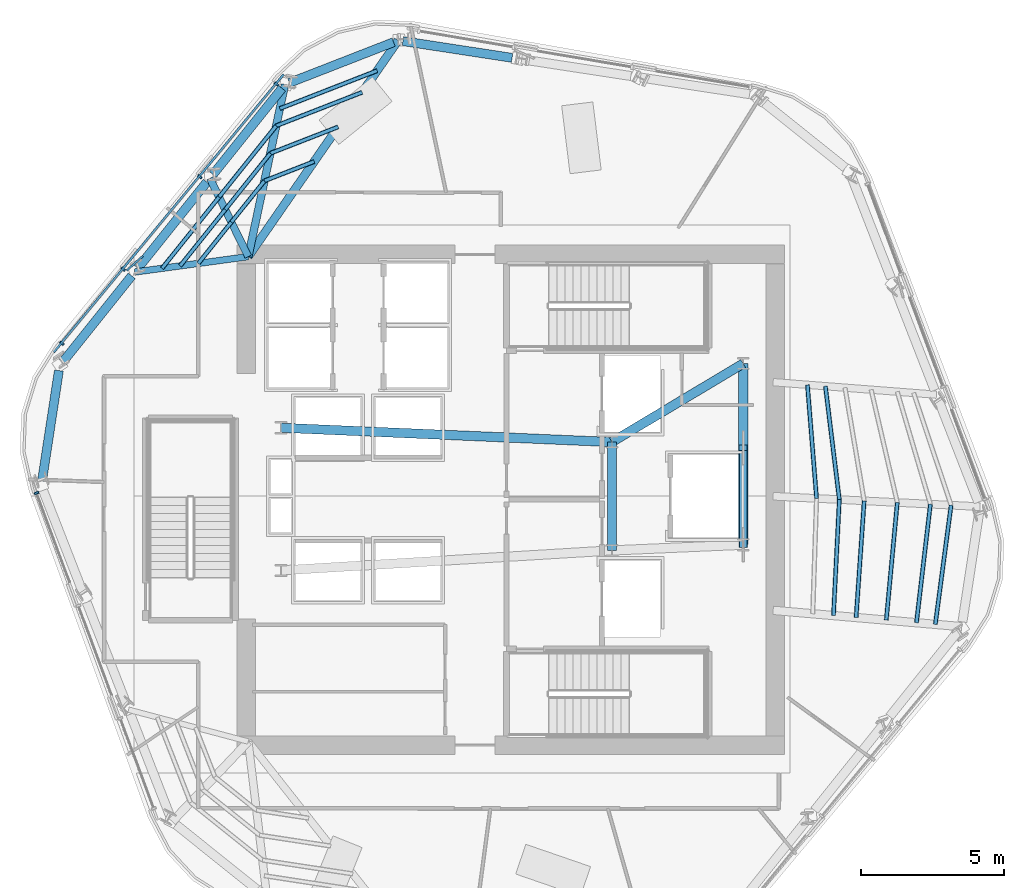
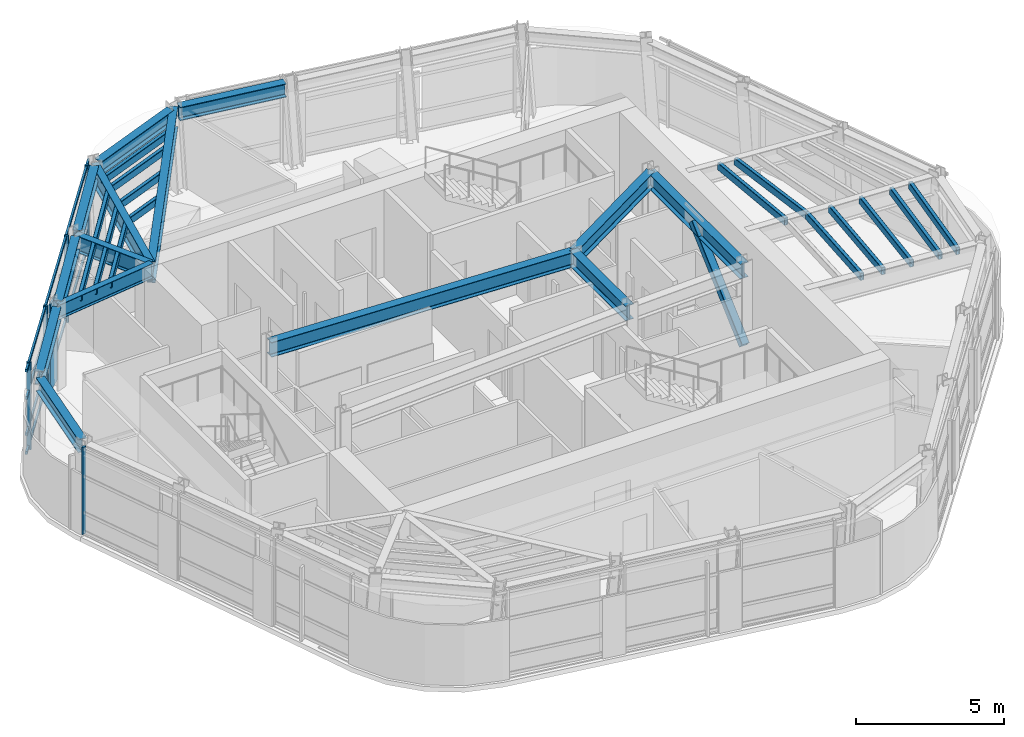
# One storey, part 3 of 12: 28 members, 14 beams, 2 elements without a shape of their own.
"""IFC4 building model written with IfcOpenShell, lengths in metres."""

from ifc_helpers import new_model, si_unit, direction, frame, origin, origin_2d, place, context, subcontext, project, spatial, rectangle, hollow_rectangle, i_section, extrude, material, layer, layer_set, material_profile, profile_set, type_object, element, aggregate, save


model = new_model("IFC4")

# Units and contexts
model_context = context("Model", 3, precision=1e-05, world=origin(), true_north=direction((0.0, 1.0)))
body_context = subcontext(model_context, "Body", "Model", "MODEL_VIEW")
ifc_project = project(units=[si_unit("LENGTHUNIT", "METRE"), si_unit("AREAUNIT", "SQUARE_METRE"), si_unit("VOLUMEUNIT", "CUBIC_METRE"), si_unit("PLANEANGLEUNIT", "RADIAN"), si_unit("MASSUNIT", "GRAM", prefix="KILO")], contexts=[model_context])

# Site, building, storey
site_placement = place(None, origin())
site = spatial("IfcSite", under=ifc_project, at=site_placement, CompositionType="ELEMENT")
building_placement = place(site_placement, origin())
building = spatial("IfcBuilding", under=site, at=building_placement, Name="Valkerne Bourse Tower", CompositionType="ELEMENT")
storey_placement = place(building_placement, frame((0.0, 0.0, 239.800048828125)))
storey = spatial("IfcBuildingStorey", under=building, at=storey_placement, Name="L61", CompositionType="ELEMENT", Elevation=239.800048828125)

# Beams
ifc_material_1 = material(Name="Steel ASTM A992", Category="steel")
ifc_material_profile_1 = material_profile(ifc_material_1, i_section(OverallWidth=0.31494140625, OverallDepth=0.5537109375, WebThickness=0.0166015625, FlangeThickness=0.026123046875, FilletRadius=0.020263671875, at=origin_2d()), Name="W21X132")
ifc_profile_set_1 = profile_set([ifc_material_profile_1], Name="Steel ASTM A992")
beam_type_1 = type_object("IfcBeamType", Name="BM-W21X132", PredefinedType="BEAM", material=ifc_profile_set_1)
beam_1_placement = place(storey_placement, frame((46.84912109375, 42.3681640625, 3.3232421875), z_axis=(-0.988493114679, 0.151265866053, 0.0), x_axis=(-0.151265866053, -0.988493114679, 0.0)))
element("IfcBeam", 1, at=beam_1_placement, inside=storey, type_object=beam_type_1, Name="L61 Hexagonal Spandrel Ring Beam 02", PredefinedType="BEAM", context=body_context, shape_type="SweptSolid", body=[
    extrude(i_section(OverallWidth=0.31494140625, OverallDepth=0.5537109375, WebThickness=0.0166015625, FlangeThickness=0.026123046875, FilletRadius=0.020263671875, at=origin_2d()), origin(), (0.0, 0.0, 1.0), 3.871826171875),
])
beam_2_placement = place(storey_placement, frame((42.6953125, 42.917724609375, 3.3232421875), z_axis=(-0.931691908063, -0.363249485135, 0.0), x_axis=(0.363249485135, -0.931691908063, 0.0)))
element("IfcBeam", 2, at=beam_2_placement, inside=storey, type_object=beam_type_1, Name="L61 Hexagonal Spandrel Ring Beam 03", PredefinedType="BEAM", context=body_context, shape_type="SweptSolid", body=[
    extrude(i_section(OverallWidth=0.31494140625, OverallDepth=0.5537109375, WebThickness=0.0166015625, FlangeThickness=0.026123046875, FilletRadius=0.020263671875, at=origin_2d()), origin(), (0.0, 0.0, 1.0), 3.915771484375),
])
beam_3_placement = place(storey_placement, frame((38.782470703125, 41.301025390625, 3.3232421875), z_axis=(-0.625248539908, -0.780425693671, 0.0), x_axis=(0.780425693671, -0.625248539908, 0.0)))
element("IfcBeam", 3, at=beam_3_placement, inside=storey, type_object=beam_type_1, Name="L61 Hexagonal Spandrel Ring Beam 04", PredefinedType="BEAM", context=body_context, shape_type="SweptSolid", body=[
    extrude(i_section(OverallWidth=0.31494140625, OverallDepth=0.5537109375, WebThickness=0.0166015625, FlangeThickness=0.026123046875, FilletRadius=0.020263671875, at=origin_2d()), origin(), (0.0, 0.0, 1.0), 3.871826171875),
])
beam_4_placement = place(storey_placement, frame((36.14892578125, 38.013916015625, 3.3232421875), z_axis=(-0.625217772855, -0.780450342114, 0.0), x_axis=(0.780450342114, -0.625217772855, 0.0)))
element("IfcBeam", 4, at=beam_4_placement, inside=storey, type_object=beam_type_1, Name="L61 Hexagonal Spandrel Ring Beam 05", PredefinedType="BEAM", context=body_context, shape_type="SweptSolid", body=[
    extrude(i_section(OverallWidth=0.31494140625, OverallDepth=0.5537109375, WebThickness=0.0166015625, FlangeThickness=0.026123046875, FilletRadius=0.020263671875, at=origin_2d()), origin(), (0.0, 0.0, 1.0), 3.8720703125),
])
beam_5_placement = place(storey_placement, frame((33.515380859375, 34.7265625, 3.3232421875), z_axis=(-0.625248539908, -0.780425693671, 0.0), x_axis=(0.780425693671, -0.625248539908, 0.0)))
element("IfcBeam", 5, at=beam_5_placement, inside=storey, type_object=beam_type_1, Name="L61 Hexagonal Spandrel Ring Beam 06", PredefinedType="BEAM", context=body_context, shape_type="SweptSolid", body=[
    extrude(i_section(OverallWidth=0.31494140625, OverallDepth=0.5537109375, WebThickness=0.0166015625, FlangeThickness=0.026123046875, FilletRadius=0.020263671875, at=origin_2d()), origin(), (0.0, 0.0, 1.0), 3.871826171875),
])
beam_6_placement = place(storey_placement, frame((30.96240234375, 31.404052734375, 3.3232421875), z_axis=(-0.151260643066, -0.988493913921, 0.0), x_axis=(0.988493913921, -0.151260643066, 0.0)))
element("IfcBeam", 6, at=beam_6_placement, inside=storey, type_object=beam_type_1, Name="L61 Hexagonal Spandrel Ring Beam 07", PredefinedType="BEAM", context=body_context, shape_type="SweptSolid", body=[
    extrude(i_section(OverallWidth=0.31494140625, OverallDepth=0.5537109375, WebThickness=0.0166015625, FlangeThickness=0.026123046875, FilletRadius=0.020263671875, at=origin_2d()), origin(), (0.0, 0.0, 1.0), 3.915771484375),
])
ifc_material_profile_2 = material_profile(ifc_material_1, i_section(OverallWidth=0.3251953125, OverallDepth=0.612060546875, WebThickness=0.0126953125, FlangeThickness=0.01904296875, FilletRadius=0.020263671875, at=origin_2d()), Name="W24X104")
ifc_profile_set_2 = profile_set([ifc_material_profile_2], Name="Steel ASTM A992")
beam_type_2 = type_object("IfcBeamType", Name="BM-W24X104", PredefinedType="BEAM", material=ifc_profile_set_2)
beam_7_placement = place(storey_placement, frame((50.35009765625, 25.10009765625, 3.2939453125), z_axis=(0.0, 1.0, 0.0), x_axis=(-1.0, 0.0, 0.0)))
element("IfcBeam", 7, at=beam_7_placement, inside=storey, type_object=beam_type_2, Name="L61 Core Frame Girder CG-CE", PredefinedType="BEAM", context=body_context, shape_type="SweptSolid", body=[
    extrude(i_section(OverallWidth=0.3251953125, OverallDepth=0.612060546875, WebThickness=0.0126953125, FlangeThickness=0.01904296875, FilletRadius=0.020263671875, at=origin_2d()), origin(), (0.0, 0.0, 1.0), 3.7998046875),
])
beam_8_placement = place(storey_placement, frame((50.35009765625, 28.89990234375, 3.2939453125), z_axis=(0.858307823492, 0.513135148019, 0.0), x_axis=(-0.513135148019, 0.858307823492, 0.0)))
element("IfcBeam", 8, at=beam_8_placement, inside=storey, type_object=beam_type_2, Name="L61 Core Frame Girder CG-NE", PredefinedType="BEAM", context=body_context, shape_type="SweptSolid", body=[
    extrude(i_section(OverallWidth=0.3251953125, OverallDepth=0.612060546875, WebThickness=0.0126953125, FlangeThickness=0.01904296875, FilletRadius=0.020263671875, at=origin_2d()), origin(), (0.0, 0.0, 1.0), 5.359130859375),
])
beam_9_placement = place(storey_placement, frame((54.949951171875, 25.300048828125, 3.2939453125), z_axis=(0.0, 1.0, 0.0), x_axis=(-1.0, 0.0, 0.0)))
element("IfcBeam", 9, at=beam_9_placement, inside=storey, type_object=beam_type_2, Name="L61 Core Frame Girder CG-EE", PredefinedType="BEAM", context=body_context, shape_type="SweptSolid", body=[
    extrude(i_section(OverallWidth=0.3251953125, OverallDepth=0.612060546875, WebThickness=0.0126953125, FlangeThickness=0.01904296875, FilletRadius=0.020263671875, at=origin_2d()), origin(), (0.0, 0.0, 1.0), 6.349853515625),
])
beam_10_placement = place(storey_placement, frame((38.75, 29.39990234375, 3.2939453125), z_axis=(0.999072354402, -0.043063101019, 0.0), x_axis=(0.043063101019, 0.999072354402, 0.0)))
element("IfcBeam", 10, at=beam_10_placement, inside=storey, type_object=beam_type_2, Name="L61 Core Frame Girder CG-NW", PredefinedType="BEAM", context=body_context, shape_type="SweptSolid", body=[
    extrude(i_section(OverallWidth=0.3251953125, OverallDepth=0.612060546875, WebThickness=0.0126953125, FlangeThickness=0.01904296875, FilletRadius=0.020263671875, at=origin_2d()), origin(), (0.0, 0.0, 1.0), 11.61083984375),
])
ifc_material_profile_3 = material_profile(ifc_material_1, i_section(OverallWidth=0.228271484375, OverallDepth=0.607177734375, WebThickness=0.01123046875, FlangeThickness=0.017333984375, FilletRadius=0.017822265625, at=origin_2d()), Name="W24X76")
ifc_profile_set_3 = profile_set([ifc_material_profile_3], Name="Steel ASTM A992")
beam_type_3 = type_object("IfcBeamType", Name="BM-W24X76", PredefinedType="JOIST", material=ifc_profile_set_3)
beam_11_placement = place(storey_placement, frame((33.62158203125, 34.859375, 3.29638671875), z_axis=(0.990896650723, 0.134624765875, 0.0), x_axis=(-0.134624765875, 0.990896650723, 0.0)))
element("IfcBeam", 11, at=beam_11_placement, inside=storey, type_object=beam_type_3, Name="L61 Radial Composite Floor Beam 06", PredefinedType="JOIST", context=body_context, shape_type="SweptSolid", body=[
    extrude(i_section(OverallWidth=0.228271484375, OverallDepth=0.607177734375, WebThickness=0.01123046875, FlangeThickness=0.017333984375, FilletRadius=0.017822265625, at=origin_2d()), origin(), (0.0, 0.0, 1.0), 4.01513671875),
])
ifc_material_profile_4 = material_profile(ifc_material_1, i_section(OverallWidth=0.255859375, OverallDepth=0.693359375, WebThickness=0.014404296875, FlangeThickness=0.023681640625, FilletRadius=0.02294921875, at=origin_2d()), Name="W27X114")
ifc_profile_set_4 = profile_set([ifc_material_profile_4], Name="Steel ASTM A992")
beam_type_4 = type_object("IfcBeamType", Name="BM-W27X114", PredefinedType="BEAM", material=ifc_profile_set_4)
beam_12_placement = place(storey_placement, frame((36.255126953125, 38.146484375, 3.253173828125), z_axis=(0.439789922174, -0.898100676068, 0.0), x_axis=(0.898100676068, 0.439789922174, 0.0)))
element("IfcBeam", 12, at=beam_12_placement, inside=storey, type_object=beam_type_4, Name="L61 Radial Composite Floor Beam 05", PredefinedType="BEAM", context=body_context, shape_type="SweptSolid", body=[
    extrude(i_section(OverallWidth=0.255859375, OverallDepth=0.693359375, WebThickness=0.014404296875, FlangeThickness=0.023681640625, FilletRadius=0.02294921875, at=origin_2d()), origin(), (0.0, 0.0, 1.0), 3.05810546875),
])
ifc_material_profile_5 = material_profile(ifc_material_1, i_section(OverallWidth=0.26806640625, OverallDepth=0.76953125, WebThickness=0.015625, FlangeThickness=0.025390625, FilletRadius=0.025390625, at=origin_2d()), Name="W30X132")
ifc_profile_set_5 = profile_set([ifc_material_profile_5], Name="Steel ASTM A992")
beam_type_5 = type_object("IfcBeamType", Name="BM-W30X132", PredefinedType="BEAM", material=ifc_profile_set_5)
beam_13_placement = place(storey_placement, frame((38.888671875, 41.43359375, 3.215087890625), z_axis=(-0.2088534437, -0.977946951043, 0.0), x_axis=(0.977946951043, -0.2088534437, 0.0)))
element("IfcBeam", 13, at=beam_13_placement, inside=storey, type_object=beam_type_5, Name="L61 Radial Composite Floor Beam 04", PredefinedType="BEAM", context=body_context, shape_type="SweptSolid", body=[
    extrude(i_section(OverallWidth=0.26806640625, OverallDepth=0.76953125, WebThickness=0.015625, FlangeThickness=0.025390625, FilletRadius=0.025390625, at=origin_2d()), origin(), (0.0, 0.0, 1.0), 6.169677734375),
])
ifc_material_profile_6 = material_profile(ifc_material_1, i_section(OverallWidth=0.2919921875, OverallDepth=0.8583984375, WebThickness=0.01708984375, FlangeThickness=0.031005859375, FilletRadius=0.025390625, at=origin_2d()), Name="W33X169")
ifc_profile_set_6 = profile_set([ifc_material_profile_6], Name="Steel ASTM A992")
beam_type_6 = type_object("IfcBeamType", Name="BM-W33X169", PredefinedType="BEAM", material=ifc_profile_set_6)
beam_14_placement = place(storey_placement, frame((42.853759765625, 42.9794921875, 3.170654296875), z_axis=(-0.569668293455, -0.821874707867, 0.0), x_axis=(0.821874707867, -0.569668293455, 0.0)))
element("IfcBeam", 14, at=beam_14_placement, inside=storey, type_object=beam_type_6, Name="L61 Radial Composite Floor Beam 03", PredefinedType="BEAM", context=body_context, shape_type="SweptSolid", body=[
    extrude(i_section(OverallWidth=0.2919921875, OverallDepth=0.8583984375, WebThickness=0.01708984375, FlangeThickness=0.031005859375, FilletRadius=0.025390625, at=origin_2d()), origin(), (0.0, 0.0, 1.0), 9.222412109375),
])

# Curtain wall, members
ifc_material_2 = material(Name="Aluminium AA 6063-T6", Category="aluminium")
ifc_layer = layer(ifc_material_2, 0.239990234375)
ifc_layer_set = layer_set([ifc_layer], Name="Aluminium AA 6063-T6")
curtain_wall_type = type_object("IfcCurtainWallType", Name="CW-04", PredefinedType="NOTDEFINED", material=ifc_layer_set)
curtain_wall_1_placement = place(storey_placement, origin())
curtain_wall_1 = element("IfcCurtainWall", 15, at=curtain_wall_1_placement, inside=storey, type_object=curtain_wall_type, Name="L61 Hexagonal Stick Curtain Wall Face 2", PredefinedType="NOTDEFINED")
ifc_material_profile_7 = material_profile(ifc_material_2, rectangle(XDim=0.074951171875, YDim=0.159912109375, at=origin_2d()), Name="CWM-75X160")
ifc_profile_set_7 = profile_set([ifc_material_profile_7], Name="Aluminium AA 6063-T6")
member_type_1 = type_object("IfcMemberType", Name="CW-MUL-160X75", PredefinedType="MULLION", material=ifc_profile_set_7)
member_1_placement = place(storey_placement, frame((38.586669921875, 41.44921875, 0.0), z_axis=(0.0, 0.0, 1.0), x_axis=(-0.637419990415, -0.770516551295, 0.0)))
member_1 = element("IfcMember", 16, at=member_1_placement, type_object=member_type_1, Name="CW-L61-F2 Jamb Mullion 00A", PredefinedType="MULLION", context=body_context, shape_type="SweptSolid", body=[
    extrude(rectangle(XDim=0.074951171875, YDim=0.159912109375, at=origin_2d()), origin(), (0.0, 0.0, 1.0), 3.599853515625),
])
member_2_placement = place(storey_placement, frame((35.90185546875, 38.203857421875, 0.0), z_axis=(0.0, 0.0, 1.0), x_axis=(-0.637419990415, -0.770516551295, 0.0)))
member_2 = element("IfcMember", 17, at=member_2_placement, type_object=member_type_1, Name="CW-L61-F2 Jamb Mullion 01A", PredefinedType="MULLION", context=body_context, shape_type="SweptSolid", body=[
    extrude(rectangle(XDim=0.074951171875, YDim=0.159912109375, at=origin_2d()), origin(), (0.0, 0.0, 1.0), 3.599853515625),
])
member_3_placement = place(storey_placement, frame((33.217041015625, 34.95849609375, 0.0), z_axis=(0.0, 0.0, 1.0), x_axis=(-0.637434085506, -0.770504890728, 0.0)))
member_3 = element("IfcMember", 18, at=member_3_placement, type_object=member_type_1, Name="CW-L61-F2 Jamb Mullion 02A", PredefinedType="MULLION", context=body_context, shape_type="SweptSolid", body=[
    extrude(rectangle(XDim=0.074951171875, YDim=0.159912109375, at=origin_2d()), origin(), (0.0, 0.0, 1.0), 3.599853515625),
])
member_4_placement = place(storey_placement, frame((31.067626953125, 32.360107421875, 0.0), z_axis=(0.0, 0.0, 1.0), x_axis=(-0.637434085506, -0.770504890728, 0.0)))
member_4 = element("IfcMember", 19, at=member_4_placement, type_object=member_type_1, Name="CW-L61-F2 Jamb Mullion 02B", PredefinedType="MULLION", context=body_context, shape_type="SweptSolid", body=[
    extrude(rectangle(XDim=0.074951171875, YDim=0.159912109375, at=origin_2d()), origin(), (0.0, 0.0, 1.0), 3.599853515625),
])

# Curtain wall, member
curtain_wall_2_placement = place(storey_placement, origin())
curtain_wall_2 = element("IfcCurtainWall", 20, at=curtain_wall_2_placement, inside=storey, type_object=curtain_wall_type, Name="L61 Hexagonal Stick Curtain Wall Face 3", PredefinedType="NOTDEFINED")
member_5_placement = place(storey_placement, frame((30.179931640625, 27.11181640625, 0.0), z_axis=(0.0, 0.0, 1.0), x_axis=(0.348577541207, -0.937279946316, 0.0)))
member_5 = element("IfcMember", 21, at=member_5_placement, type_object=member_type_1, Name="CW-L61-F3 Jamb Mullion 00A", PredefinedType="MULLION", context=body_context, shape_type="SweptSolid", body=[
    extrude(rectangle(XDim=0.074951171875, YDim=0.159912109375, at=origin_2d()), origin(), (0.0, 0.0, 1.0), 3.599853515625),
])
aggregate(curtain_wall_2, [member_5])

# Member
ifc_material_profile_8 = material_profile(ifc_material_2, rectangle(XDim=0.074951171875, YDim=0.1201171875, at=origin_2d()), Name="CWT-75X120")
ifc_profile_set_8 = profile_set([ifc_material_profile_8], Name="Aluminium AA 6063-T6")
member_type_2 = type_object("IfcMemberType", Name="CW-TRN-120X75", PredefinedType="USERDEFINED", material=ifc_profile_set_8)
member_6_placement = place(storey_placement, frame((38.839111328125, 41.78564453125, 0.119873046875), z_axis=(-0.637428518237, -0.770509496462, 0.0), x_axis=(0.770509496462, -0.637428518237, 0.0)))
member_6 = element("IfcMember", 22, at=member_6_placement, type_object=member_type_2, Name="CW-L61-F2 Continuous Face Transom 1", ObjectType="TRANSOM", PredefinedType="USERDEFINED", context=body_context, shape_type="SweptSolid", body=[
    extrude(rectangle(XDim=0.074951171875, YDim=0.1201171875, at=origin_2d()), origin(), (0.0, 0.0, 1.0), 12.63623046875),
])

member_7_placement = place(storey_placement, frame((38.839111328125, 41.78564453125, 0.89990234375), z_axis=(-0.637428518237, -0.770509496462, 0.0), x_axis=(0.770509496462, -0.637428518237, 0.0)))
member_7 = element("IfcMember", 23, at=member_7_placement, type_object=member_type_2, Name="CW-L61-F2 Continuous Face Transom 2", ObjectType="TRANSOM", PredefinedType="USERDEFINED", context=body_context, shape_type="SweptSolid", body=[
    extrude(rectangle(XDim=0.074951171875, YDim=0.1201171875, at=origin_2d()), origin(), (0.0, 0.0, 1.0), 12.63623046875),
])

member_8_placement = place(storey_placement, frame((38.839111328125, 41.78564453125, 2.39990234375), z_axis=(-0.637428518237, -0.770509496462, 0.0), x_axis=(0.770509496462, -0.637428518237, 0.0)))
member_8 = element("IfcMember", 24, at=member_8_placement, type_object=member_type_2, Name="CW-L61-F2 Continuous Face Transom 3", ObjectType="TRANSOM", PredefinedType="USERDEFINED", context=body_context, shape_type="SweptSolid", body=[
    extrude(rectangle(XDim=0.074951171875, YDim=0.1201171875, at=origin_2d()), origin(), (0.0, 0.0, 1.0), 12.63623046875),
])

member_9_placement = place(storey_placement, frame((38.839111328125, 41.78564453125, 3.52001953125), z_axis=(-0.637428518237, -0.770509496462, 0.0), x_axis=(0.770509496462, -0.637428518237, 0.0)))
member_9 = element("IfcMember", 25, at=member_9_placement, type_object=member_type_2, Name="CW-L61-F2 Continuous Face Transom 4", ObjectType="TRANSOM", PredefinedType="USERDEFINED", context=body_context, shape_type="SweptSolid", body=[
    extrude(rectangle(XDim=0.074951171875, YDim=0.1201171875, at=origin_2d()), origin(), (0.0, 0.0, 1.0), 12.63623046875),
])

aggregate(curtain_wall_1, [member_6, member_7, member_8, member_9, member_1, member_2, member_3, member_4])

# Members
ifc_material_3 = material(Name="Bronze Anodised Aluminium AA 6063-T6", Category="aluminium")
ifc_material_profile_9 = material_profile(ifc_material_3, rectangle(XDim=0.06494140625, YDim=0.75, at=origin_2d()), Name="FIN-65X750")
ifc_profile_set_9 = profile_set([ifc_material_profile_9], Name="Bronze Anodised Aluminium AA 6063-T6")
member_type_3 = type_object("IfcMemberType", Name="FIN-SOLAR-650", PredefinedType="USERDEFINED", material=ifc_profile_set_9)
member_10_placement = place(storey_placement, frame((33.62353515625, 35.167236328125, 0.00390625), z_axis=(0.0, 0.0, 1.0), x_axis=(-0.666019713571, 0.745934139945, 0.0)))
element("IfcMember", 26, at=member_10_placement, inside=storey, type_object=member_type_3, Name="L61 Bronze Anodised Solar Fin F2-02", ObjectType="SOLAR_FIN", PredefinedType="USERDEFINED", context=body_context, shape_type="SweptSolid", body=[
    extrude(rectangle(XDim=0.06494140625, YDim=0.75, at=origin_2d()), origin(), (0.0, 0.0, 1.0), 3.592041015625),
])
ifc_material_4 = material(Name="Steel ASTM A500 Grade C", Category="steel")
ifc_material_profile_10 = material_profile(ifc_material_4, hollow_rectangle(XDim=0.14990234375, YDim=0.300048828125, WallThickness=0.012451171875, OuterFilletRadius=0.02490234375, at=origin_2d()), Name="HSS300X150X12.5")
ifc_profile_set_10 = profile_set([ifc_material_profile_10], Name="Steel ASTM A500 Grade C")
member_type_4 = type_object("IfcMemberType", Name="MBR-HSS300X150X12.5", PredefinedType="PURLIN", material=ifc_profile_set_10)
member_11_placement = place(storey_placement, frame((58.11572265625, 22.81689453125, 3.43994140625), z_axis=(0.050610530486, 0.998718465937, 0.0), x_axis=(-0.998718465937, 0.050610530486, 0.0)))
element("IfcMember", 27, at=member_11_placement, inside=storey, type_object=member_type_4, Name="L61 Secondary Composite Floor Purlin I-19", PredefinedType="PURLIN", context=body_context, shape_type="SweptSolid", body=[
    extrude(hollow_rectangle(XDim=0.14990234375, YDim=0.300048828125, WallThickness=0.012451171875, OuterFilletRadius=0.02490234375, at=origin_2d()), origin(), (0.0, 0.0, 1.0), 4.0712890625),
])
member_12_placement = place(storey_placement, frame((58.32177734375, 26.883056640625, 3.43994140625), z_axis=(-0.122196765027, 0.9925058945, 0.0), x_axis=(-0.9925058945, -0.122196765027, 0.0)))
element("IfcMember", 28, at=member_12_placement, inside=storey, type_object=member_type_4, Name="L61 Secondary Composite Floor Purlin I-20", PredefinedType="PURLIN", context=body_context, shape_type="SweptSolid", body=[
    extrude(hollow_rectangle(XDim=0.14990234375, YDim=0.300048828125, WallThickness=0.012451171875, OuterFilletRadius=0.02490234375, at=origin_2d()), origin(), (0.0, 0.0, 1.0), 4.005859375),
])
member_13_placement = place(storey_placement, frame((39.91162109375, 38.735107421875, 3.43994140625), z_axis=(-0.931651907092, -0.3633520662, 0.0), x_axis=(0.3633520662, -0.931651907092, 0.0)))
element("IfcMember", 29, at=member_13_placement, inside=storey, type_object=member_type_4, Name="L61 Secondary Composite Floor Purlin K-03", PredefinedType="PURLIN", context=body_context, shape_type="SweptSolid", body=[
    extrude(hollow_rectangle(XDim=0.14990234375, YDim=0.300048828125, WallThickness=0.012451171875, OuterFilletRadius=0.02490234375, at=origin_2d()), origin(), (0.0, 0.0, 1.0), 1.87255859375),
])
for number, where, z_axis, x_axis, name in (
    (30, (38.1669921875, 38.0546875, 3.43994140625), (-0.625241136439, -0.780431625003, 0.0), (0.780431625003, -0.625241136439, 0.0), "L61 Secondary Composite Floor Purlin K-04"),
    (31, (37.00830078125, 36.6083984375, 3.43994140625), (-0.625241136439, -0.780431625003, 0.0), (0.780431625003, -0.625241136439, 0.0), "L61 Secondary Composite Floor Purlin K-05"),
):
    element("IfcMember", number, at=place(storey_placement, frame(where, z_axis=z_axis, x_axis=x_axis)), inside=storey, type_object=member_type_4, Name=name, PredefinedType="PURLIN", context=body_context, shape_type="SweptSolid", body=[
        extrude(hollow_rectangle(XDim=0.14990234375, YDim=0.300048828125, WallThickness=0.012451171875, OuterFilletRadius=0.02490234375, at=origin_2d()), origin(), (0.0, 0.0, 1.0), 1.853271484375),
    ])
member_14_placement = place(storey_placement, frame((58.9091796875, 22.748291015625, 3.43994140625), z_axis=(0.069063631999, 0.997612256709, 0.0), x_axis=(-0.997612256709, 0.069063631999, 0.0)))
element("IfcMember", 32, at=member_14_placement, inside=storey, type_object=member_type_4, Name="L61 Secondary Composite Floor Purlin K-19", PredefinedType="PURLIN", context=body_context, shape_type="SweptSolid", body=[
    extrude(hollow_rectangle(XDim=0.14990234375, YDim=0.300048828125, WallThickness=0.012451171875, OuterFilletRadius=0.02490234375, at=origin_2d()), origin(), (0.0, 0.0, 1.0), 4.1005859375),
])
member_15_placement = place(storey_placement, frame((41.5927734375, 41.160400390625, 3.43994140625), z_axis=(-0.931699775428, -0.363229305628, 0.0), x_axis=(0.363229305628, -0.931699775428, 0.0)))
element("IfcMember", 33, at=member_15_placement, inside=storey, type_object=member_type_4, Name="L61 Secondary Composite Floor Purlin O-03", PredefinedType="PURLIN", context=body_context, shape_type="SweptSolid", body=[
    extrude(hollow_rectangle(XDim=0.14990234375, YDim=0.300048828125, WallThickness=0.012451171875, OuterFilletRadius=0.02490234375, at=origin_2d()), origin(), (0.0, 0.0, 1.0), 3.234375),
])
for number, where, z_axis, x_axis, name in (
    (34, (38.579345703125, 39.985595703125, 3.43994140625), (-0.625234345826, -0.78043706524, 0.0), (0.78043706524, -0.625234345826, 0.0), "L61 Secondary Composite Floor Purlin O-04"),
    (35, (36.577880859375, 37.4873046875, 3.43994140625), (-0.625234345826, -0.78043706524, 0.0), (0.78043706524, -0.625234345826, 0.0), "L61 Secondary Composite Floor Purlin O-05"),
):
    element("IfcMember", number, at=place(storey_placement, frame(where, z_axis=z_axis, x_axis=x_axis)), inside=storey, type_object=member_type_4, Name=name, PredefinedType="PURLIN", context=body_context, shape_type="SweptSolid", body=[
        extrude(hollow_rectangle(XDim=0.14990234375, YDim=0.300048828125, WallThickness=0.012451171875, OuterFilletRadius=0.02490234375, at=origin_2d()), origin(), (0.0, 0.0, 1.0), 3.201171875),
    ])
member_16_placement = place(storey_placement, frame((61.02490234375, 22.565185546875, 3.43994140625), z_axis=(0.116946156356, 0.993138256495, 0.0), x_axis=(-0.993138256495, 0.116946156356, 0.0)))
element("IfcMember", 36, at=member_16_placement, inside=storey, type_object=member_type_4, Name="L61 Secondary Composite Floor Purlin O-19", PredefinedType="PURLIN", context=body_context, shape_type="SweptSolid", body=[
    extrude(hollow_rectangle(XDim=0.14990234375, YDim=0.300048828125, WallThickness=0.012451171875, OuterFilletRadius=0.02490234375, at=origin_2d()), origin(), (0.0, 0.0, 1.0), 4.185791015625),
])
member_17_placement = place(storey_placement, frame((40.752197265625, 39.94775390625, 3.43994140625), z_axis=(-0.931692096468, -0.363249001897, 0.0), x_axis=(0.363249001897, -0.931692096468, 0.0)))
element("IfcMember", 37, at=member_17_placement, inside=storey, type_object=member_type_4, Name="L61 Secondary Composite Floor Purlin Z-03", PredefinedType="PURLIN", context=body_context, shape_type="SweptSolid", body=[
    extrude(hollow_rectangle(XDim=0.14990234375, YDim=0.300048828125, WallThickness=0.012451171875, OuterFilletRadius=0.02490234375, at=origin_2d()), origin(), (0.0, 0.0, 1.0), 2.55322265625),
])
for number, where, z_axis, x_axis, name in (
    (38, (38.373291015625, 39.020263671875, 3.43994140625), (-0.625213266358, -0.780453952242, 0.0), (0.780453952242, -0.625213266358, 0.0), "L61 Secondary Composite Floor Purlin Z-04"),
    (39, (36.793212890625, 37.0478515625, 3.43994140625), (-0.625319241099, -0.780369045203, 0.0), (0.780369045203, -0.625319241099, 0.0), "L61 Secondary Composite Floor Purlin Z-05"),
):
    element("IfcMember", number, at=place(storey_placement, frame(where, z_axis=z_axis, x_axis=x_axis)), inside=storey, type_object=member_type_4, Name=name, PredefinedType="PURLIN", context=body_context, shape_type="SweptSolid", body=[
        extrude(hollow_rectangle(XDim=0.14990234375, YDim=0.300048828125, WallThickness=0.012451171875, OuterFilletRadius=0.02490234375, at=origin_2d()), origin(), (0.0, 0.0, 1.0), 2.52734375),
    ])
member_18_placement = place(storey_placement, frame((59.967041015625, 22.65673828125, 3.43994140625), z_axis=(0.093304191227, 0.995637648896, 0.0), x_axis=(-0.995637648896, 0.093304191227, 0.0)))
element("IfcMember", 40, at=member_18_placement, inside=storey, type_object=member_type_4, Name="L61 Secondary Composite Floor Purlin Z-19", PredefinedType="PURLIN", context=body_context, shape_type="SweptSolid", body=[
    extrude(hollow_rectangle(XDim=0.14990234375, YDim=0.300048828125, WallThickness=0.012451171875, OuterFilletRadius=0.02490234375, at=origin_2d()), origin(), (0.0, 0.0, 1.0), 4.14208984375),
])
member_19_placement = place(storey_placement, frame((57.523681640625, 26.923095703125, 3.43994140625), z_axis=(-0.080381253534, 0.996764191813, 0.0), x_axis=(-0.996764191813, -0.080381253534, 0.0)))
element("IfcMember", 41, at=member_19_placement, inside=storey, type_object=member_type_4, Name="L61 Secondary Composite Floor Purlin S-20", PredefinedType="PURLIN", context=body_context, shape_type="SweptSolid", body=[
    extrude(hollow_rectangle(XDim=0.14990234375, YDim=0.300048828125, WallThickness=0.012451171875, OuterFilletRadius=0.02490234375, at=origin_2d()), origin(), (0.0, 0.0, 1.0), 3.9970703125),
])
member_20_placement = place(storey_placement, frame((42.1181640625, 41.91845703125, 3.43994140625), z_axis=(-0.931702645078, -0.363221944759, 0.0), x_axis=(0.363221944759, -0.931702645078, 0.0)))
element("IfcMember", 42, at=member_20_placement, inside=storey, type_object=member_type_4, Name="L61 Secondary Composite Floor Purlin T-03", PredefinedType="PURLIN", context=body_context, shape_type="SweptSolid", body=[
    extrude(hollow_rectangle(XDim=0.14990234375, YDim=0.300048828125, WallThickness=0.012451171875, OuterFilletRadius=0.02490234375, at=origin_2d()), origin(), (0.0, 0.0, 1.0), 3.659912109375),
])
member_21_placement = place(storey_placement, frame((61.68603515625, 22.508056640625, 3.43994140625), z_axis=(0.131389567826, 0.991330813334, 0.0), x_axis=(-0.991330813334, 0.131389567826, 0.0)))
element("IfcMember", 43, at=member_21_placement, inside=storey, type_object=member_type_4, Name="L61 Secondary Composite Floor Purlin T-19", PredefinedType="PURLIN", context=body_context, shape_type="SweptSolid", body=[
    extrude(hollow_rectangle(XDim=0.14990234375, YDim=0.300048828125, WallThickness=0.012451171875, OuterFilletRadius=0.02490234375, at=origin_2d()), origin(), (0.0, 0.0, 1.0), 4.21435546875),
])
ifc_material_profile_11 = material_profile(ifc_material_4, hollow_rectangle(XDim=0.300048828125, YDim=0.300048828125, WallThickness=0.012451171875, OuterFilletRadius=0.02490234375, at=origin_2d()), Name="HSS300X300X12.5")
ifc_profile_set_11 = profile_set([ifc_material_profile_11], Name="Steel ASTM A500 Grade C")
member_type_5 = type_object("IfcMemberType", Name="MBR-HSS300X300X12.5", PredefinedType="STRUT", material=ifc_profile_set_11)
member_22_placement = place(storey_placement, frame((54.949951171875, 25.300048828125, 0.219970703125), z_axis=(0.0, 0.741766660352, 0.670658051163), x_axis=(-1.0, 0.0, 0.0)))
element("IfcMember", 44, at=member_22_placement, inside=storey, type_object=member_type_5, Name="L61 Core Service Pier Lateral Brace", PredefinedType="STRUT", context=body_context, shape_type="SweptSolid", body=[
    extrude(hollow_rectangle(XDim=0.300048828125, YDim=0.300048828125, WallThickness=0.012451171875, OuterFilletRadius=0.02490234375, at=origin_2d()), origin(), (0.0, 0.0, 1.0), 4.58349609375),
])

save(model, "model.ifc")
